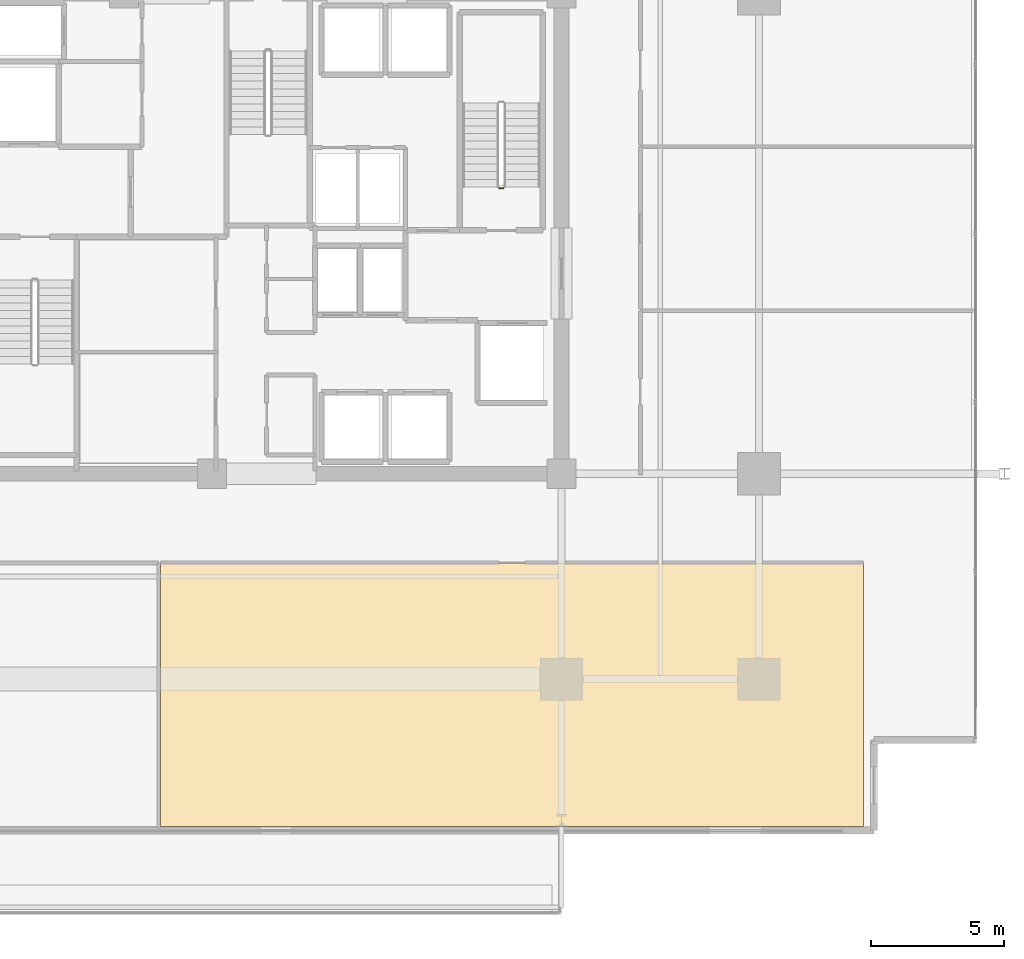
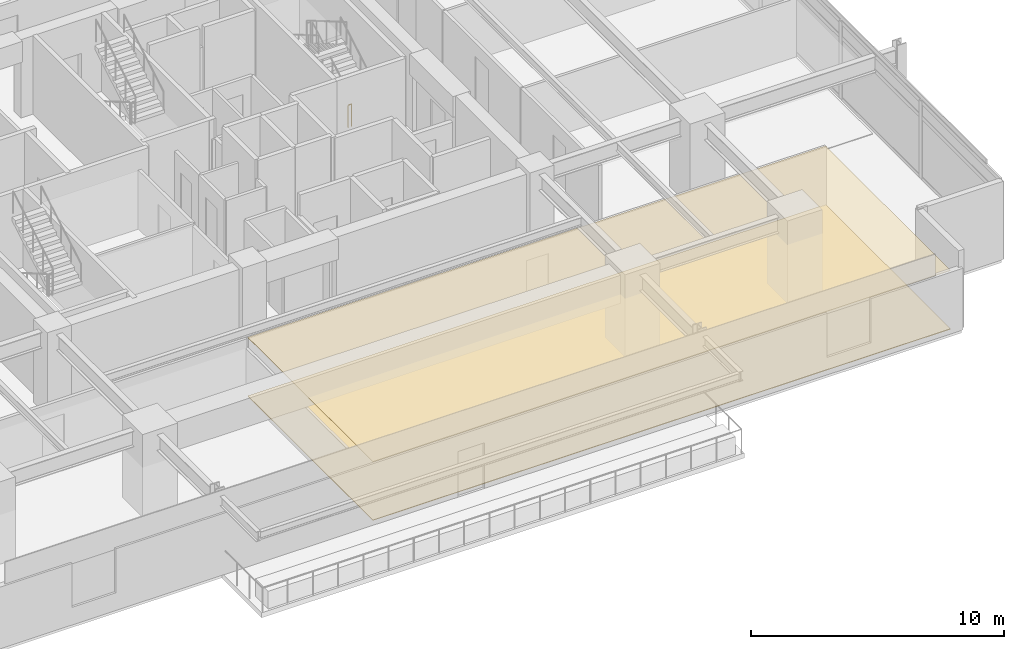
# One storey, part 21 of 24: 2 coverings, 1 railing.
"""IFC4 building model written with IfcOpenShell, lengths in metres."""

import ifcopenshell
import ifcopenshell.guid

model = None  # the IFC model being written
_history = None  # IfcOwnerHistory: only IFC2X3 demands one
_inside = {}  # id of a spatial element -> (the spatial element, [elements in it])
_under = {}  # id of a project, library or spatial element -> (it, [spatial elements below it])
_declared = {}  # id of a project -> (the project, [libraries it declares])
_typed = {}  # id of a type object -> (the type object, [elements of that type])
_made_of = {}  # id of a material, layer set ... -> (it, [elements and type objects made of it])


def new_model(schema):
    """Start an empty IFC model of exactly this schema.

    Asked for "IFC4X3", IfcOpenShell would pick the latest addendum, in which some entities
    have other attributes; the version numbers below select the first issue.
    IFC2X3 requires an IfcOwnerHistory on every rooted entity: one is made here for all.
    """
    global model, _history
    if schema == "IFC4X3":
        model = ifcopenshell.file(schema_version=(4, 3, 0, 0))
    else:
        model = ifcopenshell.file(schema=schema)
    _inside.clear()
    _under.clear()
    _declared.clear()
    _typed.clear()
    _made_of.clear()
    _history = None
    if model.schema == "IFC2X3":
        org = make("IfcOrganization", Name="unknown")
        user = make(
            "IfcPersonAndOrganization",
            ThePerson=make("IfcPerson", FamilyName="unknown"),
            TheOrganization=org,
        )
        app = make(
            "IfcApplication",
            ApplicationDeveloper=org,
            Version="unknown",
            ApplicationFullName="unknown",
            ApplicationIdentifier="unknown",
        )
        _history = make(
            "IfcOwnerHistory",
            OwningUser=user,
            OwningApplication=app,
            ChangeAction="ADDED",
            CreationDate=0,
        )
    return model


def make(cls, **values):
    """One entity of the class cls with the attributes given. An attribute that is None is left unset."""
    return model.create_entity(
        cls, **{name: value for name, value in values.items() if value is not None}
    )


def rooted(cls, **values):
    """An entity with a GlobalId (a new one), such as an element, a storey or a relation."""
    return make(cls, GlobalId=ifcopenshell.guid.new(), OwnerHistory=_history, **values)


def si_unit(unit_type, name, prefix=None):
    """IfcSIUnit, for example si_unit("LENGTHUNIT", "METRE", prefix="MILLI")."""
    return make("IfcSIUnit", UnitType=unit_type, Prefix=prefix, Name=name)


def assignment(units):
    """IfcUnitAssignment: the units of a project."""
    return None if units is None else make("IfcUnitAssignment", Units=units)


def point(xyz):
    """IfcCartesianPoint."""
    return None if xyz is None else make("IfcCartesianPoint", Coordinates=xyz)


def direction(xyz):
    """IfcDirection."""
    return None if xyz is None else make("IfcDirection", DirectionRatios=xyz)


def frame(location, z_axis=None, x_axis=None):
    """IfcAxis2Placement3D, a coordinate frame: its origin and axes. An axis left out is left unset."""
    return make(
        "IfcAxis2Placement3D",
        Location=point(location),
        Axis=direction(z_axis),
        RefDirection=direction(x_axis),
    )


def frame_2d(location, x_axis=None):
    """IfcAxis2Placement2D, a coordinate frame in the plane: its origin and x axis."""
    return make(
        "IfcAxis2Placement2D", Location=point(location), RefDirection=direction(x_axis)
    )


def origin():
    """The frame at (0, 0, 0) with its axes left unset."""
    return frame((0.0, 0.0, 0.0))


def origin_2d():
    """The frame at (0, 0) in the plane with its x axis left unset."""
    return frame_2d((0.0, 0.0))


def place(relative_to, where):
    """IfcLocalPlacement: puts the frame where relative to a parent placement (None: the world)."""
    return make(
        "IfcLocalPlacement", PlacementRelTo=relative_to, RelativePlacement=where
    )


def context(
    kind, dimensions, precision=None, world=None, true_north=None, identifier=None
):
    """IfcGeometricRepresentationContext, for example the 3D "Model" context."""
    return make(
        "IfcGeometricRepresentationContext",
        ContextIdentifier=identifier,
        ContextType=kind,
        CoordinateSpaceDimension=dimensions,
        Precision=precision,
        WorldCoordinateSystem=world,
        TrueNorth=true_north,
    )


def subcontext(parent, identifier, kind, view, scale=None):
    """IfcGeometricRepresentationSubContext, for example "Body" below "Model"."""
    return make(
        "IfcGeometricRepresentationSubContext",
        ContextIdentifier=identifier,
        ContextType=kind,
        ParentContext=parent,
        TargetScale=scale,
        TargetView=view,
    )


def project(units=None, contexts=None):
    """IfcProject with its units and contexts."""
    return rooted(
        "IfcProject",
        Name="project",
        RepresentationContexts=contexts,
        UnitsInContext=assignment(units),
    )


def spatial(cls, under=None, at=None, **own):
    """A site, building, storey or space (cls), placed at a placement, below another one or the project."""
    s = rooted(cls, ObjectPlacement=at, **own)
    if under is not None:
        _under.setdefault(under.id(), (under, []))[1].append(s)
    return s


def polyline(points):
    """IfcPolyline through the points."""
    return make("IfcPolyline", Points=[point(p) for p in points])


def profile(cls, at=None, kind="AREA", **sizes):
    """A parametric profile (cls). Its sizes go by their IFC names, for example OverallWidth=200.0."""
    return make(cls, ProfileType=kind, Position=at, **sizes)


def circle(**sizes):
    """IfcCircleProfileDef."""
    return profile("IfcCircleProfileDef", **sizes)


def outline(outer, holes=None, kind="AREA"):
    """IfcArbitraryClosedProfileDef: a profile drawn as a closed curve; with holes, ...WithVoids."""
    if holes is None:
        return make("IfcArbitraryClosedProfileDef", ProfileType=kind, OuterCurve=outer)
    return make(
        "IfcArbitraryProfileDefWithVoids",
        ProfileType=kind,
        OuterCurve=outer,
        InnerCurves=holes,
    )


def extrude(swept, where, along, depth):
    """IfcExtrudedAreaSolid: the profile swept, set in the frame where, extruded along a direction by depth."""
    return make(
        "IfcExtrudedAreaSolid",
        SweptArea=swept,
        Position=where,
        ExtrudedDirection=direction(along),
        Depth=depth,
    )


def shape(context_of_items, identifier, shape_type, items):
    """IfcShapeRepresentation: the items that make up one representation, for example the "Body"."""
    return make(
        "IfcShapeRepresentation",
        ContextOfItems=context_of_items,
        RepresentationIdentifier=identifier,
        RepresentationType=shape_type,
        Items=items,
    )


def material(Name=None, Category=None):
    """IfcMaterial."""
    return make("IfcMaterial", Name=Name, Category=Category)


def layer(
    of_material, thickness, ventilated=None, Name=None, Category=None, Priority=None
):
    """IfcMaterialLayer: one layer of a wall or slab, of a material (None: an air gap)."""
    return make(
        "IfcMaterialLayer",
        Material=of_material,
        LayerThickness=thickness,
        IsVentilated=ventilated,
        Name=Name,
        Category=Category,
        Priority=Priority,
    )


def layer_set(layers, Name=None):
    """IfcMaterialLayerSet."""
    return make("IfcMaterialLayerSet", MaterialLayers=layers, LayerSetName=Name)


def made_of(thing, what):
    """Note that an element or type object is made of a material, layer set ...; save() writes the relation."""
    if what is not None:
        _made_of.setdefault(what.id(), (what, []))[1].append(thing)
    return thing


def type_object(cls, material=None, **own):
    """A type object (cls), such as IfcWallType, which elements share."""
    return made_of(rooted(cls, **own), material)


def element(
    cls,
    number,
    at=None,
    inside=None,
    cuts=None,
    type_object=None,
    material=None,
    context=None,
    identifier="Body",
    shape_type=None,
    held_by="IfcProductDefinitionShape",
    body=None,
    shapes=None,
    **own,
):
    """One element of the class cls, such as IfcWall. Its Tag is "e" and its number.

    at: its placement. inside: the storey or other place that contains it. cuts: it is an
    opening in that element (IfcRelVoidsElement). A single representation is given by context,
    identifier, shape_type and body (its items); several are given by shapes. held_by: the class
    of the entity that holds the representations. save() writes the other relations.
    """
    e = rooted(cls, Tag="e%d" % number, ObjectPlacement=at, **own)
    if body is not None:
        shapes = [shape(context, identifier, shape_type, body)]
    if shapes is not None:
        e.Representation = make(held_by, Representations=shapes)
    if inside is not None:
        _inside.setdefault(inside.id(), (inside, []))[1].append(e)
    if cuts is not None:
        rooted(
            "IfcRelVoidsElement", RelatingBuildingElement=cuts, RelatedOpeningElement=e
        )
    if type_object is not None:
        _typed.setdefault(type_object.id(), (type_object, []))[1].append(e)
    return made_of(e, material)


def aggregate(whole, parts):
    """IfcRelAggregates: a whole, such as a stair, and the parts it consists of."""
    return rooted("IfcRelAggregates", RelatingObject=whole, RelatedObjects=parts)


def save(model, path):
    """Write the relations noted so far, then the file.

    IfcRelAggregates (storeys below a building ...), IfcRelContainedInSpatialStructure (elements
    in a storey), IfcRelDefinesByType, IfcRelAssociatesMaterial and IfcRelDeclares: one each for
    every whole, place, type object, material and project.
    """
    for whole, parts in _under.values():
        aggregate(whole, parts)
    for where, things in _inside.values():
        rooted(
            "IfcRelContainedInSpatialStructure",
            RelatedElements=things,
            RelatingStructure=where,
        )
    for kind, things in _typed.values():
        rooted("IfcRelDefinesByType", RelatedObjects=things, RelatingType=kind)
    for what, things in _made_of.values():
        rooted("IfcRelAssociatesMaterial", RelatedObjects=things, RelatingMaterial=what)
    for by, libraries in _declared.values():
        rooted("IfcRelDeclares", RelatingContext=by, RelatedDefinitions=libraries)
    model.write(path)


model = new_model("IFC4")

# Units and contexts
model_context = context("Model", 3, precision=1e-05, world=origin(), true_north=direction((0.0, 1.0)))
body_context = subcontext(model_context, "Body", "Model", "MODEL_VIEW")
ifc_project = project(units=[si_unit("LENGTHUNIT", "METRE"), si_unit("AREAUNIT", "SQUARE_METRE"), si_unit("VOLUMEUNIT", "CUBIC_METRE"), si_unit("PLANEANGLEUNIT", "RADIAN"), si_unit("MASSUNIT", "GRAM", prefix="KILO")], contexts=[model_context])

# Site, building, storey
site_placement = place(None, origin())
site = spatial("IfcSite", under=ifc_project, at=site_placement, CompositionType="ELEMENT")
building_placement = place(site_placement, origin())
building = spatial("IfcBuilding", under=site, at=building_placement, Name="Kovane Verandah Tower", CompositionType="ELEMENT")
storey_placement = place(building_placement, frame((0.0, 0.0, 144.39990234375)))
storey = spatial("IfcBuildingStorey", under=building, at=storey_placement, Name="L33", CompositionType="ELEMENT", Elevation=144.39990234375)

# Coverings
ifc_material_1 = material(Name="Perforated Acoustic Mineral-Fibre Ceiling Tile", Category="gypsum")
ifc_layer_1 = layer(ifc_material_1, 0.02490234375)
ifc_layer_set_1 = layer_set([ifc_layer_1], Name="Perforated Acoustic Mineral-Fibre Ceiling Tile")
covering_type_1 = type_object("IfcCoveringType", Name="CV-CEIL-25", PredefinedType="CEILING", material=ifc_layer_set_1)
covering_1_placement = place(storey_placement, frame((0.0, 0.0, 2.8251953125)))
element("IfcCovering", 1, at=covering_1_placement, inside=storey, type_object=covering_type_1, Name="L33 Collaboration Hub S2 Acoustic Ceiling", PredefinedType="CEILING", context=body_context, shape_type="SweptSolid", body=[
    extrude(outline(polyline([(35.97119140625, 5.27490234375), (62.313720703125, 5.27490234375), (62.313720703125, 15.14990234375), (35.97119140625, 15.14990234375), (35.97119140625, 5.27490234375)])), origin(), (0.0, 0.0, 1.0), 0.02490234375),
])
ifc_material_2 = material(Name="Polished Terrazzo and Raised-Access Carpet Tile Finish", Category="concrete")
ifc_layer_2 = layer(ifc_material_2, 0.030029296875)
ifc_layer_set_2 = layer_set([ifc_layer_2], Name="Polished Terrazzo and Raised-Access Carpet Tile Finish")
covering_type_2 = type_object("IfcCoveringType", Name="CV-FLOR-30", PredefinedType="FLOORING", material=ifc_layer_set_2)
covering_2_placement = place(storey_placement, origin())
element("IfcCovering", 2, at=covering_2_placement, inside=storey, type_object=covering_type_2, Name="L33 Collaboration Hub S2 Floor Finish", PredefinedType="FLOORING", context=body_context, shape_type="SweptSolid", body=[
    extrude(outline(polyline([(35.97119140625, 5.27490234375), (62.313720703125, 5.27490234375), (62.313720703125, 15.14990234375), (35.97119140625, 15.14990234375), (35.97119140625, 5.27490234375)])), origin(), (0.0, 0.0, 1.0), 0.030029296875),
])

# Railing
ifc_material_3 = material(Name="Painted Steel Stairwell Guardrail", Category="steel")
railing_type = type_object("IfcRailingType", Name="RL-STGUARD-1120", PredefinedType="GUARDRAIL", material=ifc_material_3)
railing_placement = place(storey_placement, frame((48.820068359375, 29.199951171875, 0.0)))
element("IfcRailing", 3, at=railing_placement, inside=storey, type_object=railing_type, Name="L33 ST-02 stair guard 4", PredefinedType="GUARDRAIL", context=body_context, shape_type="SweptSolid", body=[
    extrude(circle(Radius=0.02392578125, at=origin_2d()), frame((0.0, 0.0, 1.076171875), z_axis=(-1.0, 0.0, 0.0), x_axis=(0.0, -1.0, 0.0)), (0.0, 0.0, 1.0), 0.16015625),
    extrude(circle(Radius=0.02099609375, at=origin_2d()), origin(), (0.0, 0.0, 1.0), 1.052001953125),
    extrude(circle(Radius=0.02099609375, at=origin_2d()), frame((-0.16015625, 0.0, 0.0)), (0.0, 0.0, 1.0), 1.052001953125),
])

save(model, "model.ifc")
